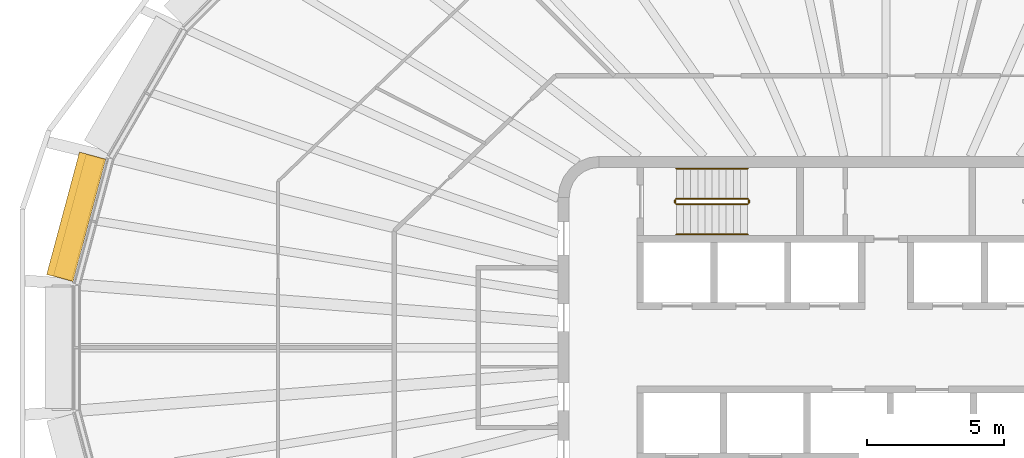
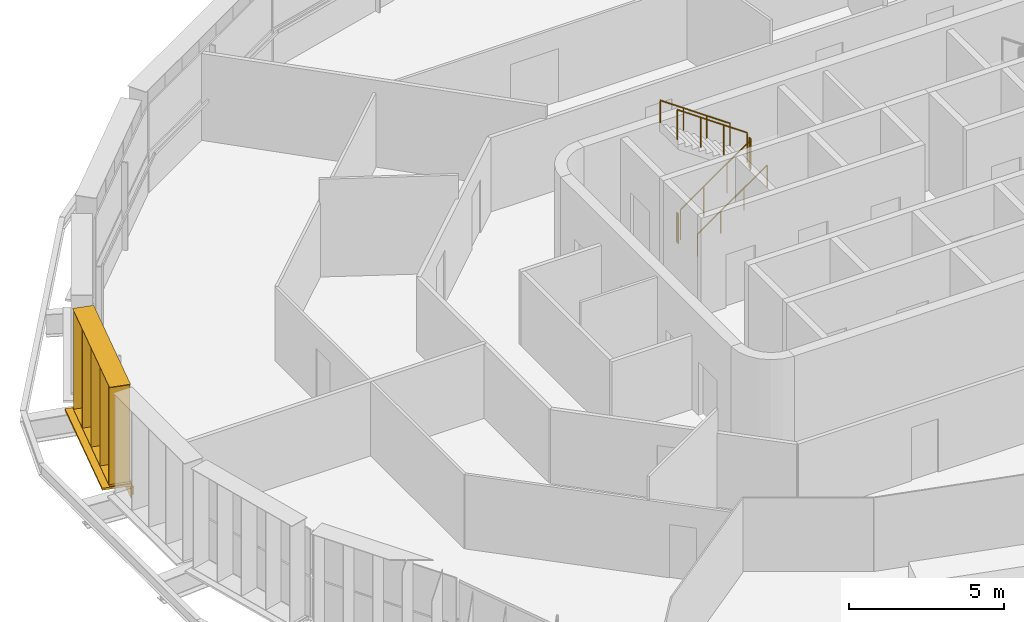
# One storey, part 17 of 20: 6 railings, 2 shading devices.
"""IFC4 building model written with IfcOpenShell, lengths in metres."""

from ifc_helpers import new_model, si_unit, direction, frame, origin, origin_2d, place, context, subcontext, project, spatial, rectangle, circle, extrude, material, type_object, element, save


model = new_model("IFC4")

# Units and contexts
model_context = context("Model", 3, precision=1e-05, world=origin(), true_north=direction((0.0, 1.0)))
body_context = subcontext(model_context, "Body", "Model", "MODEL_VIEW")
ifc_project = project(units=[si_unit("LENGTHUNIT", "METRE"), si_unit("AREAUNIT", "SQUARE_METRE"), si_unit("VOLUMEUNIT", "CUBIC_METRE"), si_unit("PLANEANGLEUNIT", "RADIAN"), si_unit("MASSUNIT", "GRAM", prefix="KILO")], contexts=[model_context])

# Site, building, storey
site_placement = place(None, origin())
site = spatial("IfcSite", under=ifc_project, at=site_placement, CompositionType="ELEMENT")
building_placement = place(site_placement, origin())
building = spatial("IfcBuilding", under=site, at=building_placement, Name="Sahrelin Media Tower", CompositionType="ELEMENT")
storey_placement = place(building_placement, frame((0.0, 0.0, 271.0)))
storey = spatial("IfcBuildingStorey", under=building, at=storey_placement, Name="L59", CompositionType="ELEMENT", Elevation=271.0)

# Shading device
ifc_material_1 = material(Name="Champagne anodised aluminium 6063-T6", Category="aluminium")
shading_device_type_1 = type_object("IfcShadingDeviceType", Name="Fin cassette", PredefinedType="USERDEFINED", material=ifc_material_1)
placement = place(storey_placement, frame((-29.132080078125, 4.65478515625, 0.0), z_axis=(0.0, 0.0, 1.0), x_axis=(0.258807731996, 0.965928857556, 0.0)))
element("IfcShadingDevice", 1, at=placement, inside=storey, type_object=shading_device_type_1, Name="L59:FIN:L59-11", ObjectType="FIN", PredefinedType="USERDEFINED", context=body_context, shape_type="SweptSolid", body=[
    extrude(rectangle(XDim=4.60009765625, YDim=0.699951171875, at=origin_2d()), frame((0.0, 0.419921875, 0.0)), (0.0, 0.0, 1.0), 0.02001953125),
    extrude(rectangle(XDim=4.60009765625, YDim=0.699951171875, at=origin_2d()), frame((0.0, 0.419921875, 3.89990234375)), (0.0, 0.0, 1.0), 0.02001953125),
    extrude(rectangle(XDim=0.02001953125, YDim=0.699951171875, at=origin_2d()), frame((-2.199951171875, 0.419921875, 0.010009765625), z_axis=(0.0, 0.0, 1.0), x_axis=(1.0, 0.0, 0.0)), (0.0, 0.0, 1.0), 3.89990234375),
    extrude(rectangle(XDim=0.02001953125, YDim=0.699951171875, at=origin_2d()), frame((-1.10009765625, 0.419921875, 0.010009765625), z_axis=(0.0, 0.0, 1.0), x_axis=(1.0, 0.0, 0.0)), (0.0, 0.0, 1.0), 3.89990234375),
    extrude(rectangle(XDim=0.02001953125, YDim=0.699951171875, at=origin_2d()), frame((0.0, 0.419921875, 0.010009765625), z_axis=(0.0, 0.0, 1.0), x_axis=(1.0, 0.0, 0.0)), (0.0, 0.0, 1.0), 3.89990234375),
    extrude(rectangle(XDim=0.02001953125, YDim=0.699951171875, at=origin_2d()), frame((1.10009765625, 0.419921875, 0.010009765625), z_axis=(0.0, 0.0, 1.0), x_axis=(1.0, 0.0, 0.0)), (0.0, 0.0, 1.0), 3.89990234375),
    extrude(rectangle(XDim=0.02001953125, YDim=0.699951171875, at=origin_2d()), frame((2.199951171875, 0.419921875, 0.010009765625), z_axis=(0.0, 0.0, 1.0), x_axis=(1.0, 0.0, 0.0)), (0.0, 0.0, 1.0), 3.89990234375),
])

# Railings
ifc_material_2 = material(Name="Steel S355", Category="steel")
railing_type_1 = type_object("IfcRailingType", Name="Stair guard 1200", PredefinedType="GUARDRAIL", material=ifc_material_2)
railing_1_placement = place(storey_placement, frame((-7.675048828125, 5.25, 0.181884765625)))
element("IfcRailing", 2, at=railing_1_placement, inside=storey, type_object=railing_type_1, Name="L59 ST1 stair guard 1", PredefinedType="GUARDRAIL", context=body_context, shape_type="SweptSolid", body=[
    extrude(circle(Radius=0.02392578125, at=origin_2d()), frame((0.0, 0.0, 1.17578125), z_axis=(0.819521025635, 0.0, 0.573049115296), x_axis=(0.0, 1.0, 0.0)), (0.0, 0.0, 1.0), 3.172607421875),
    extrude(circle(Radius=0.02099609375, at=origin_2d()), origin(), (0.0, 0.0, 1.0), 1.15185546875),
    extrude(circle(Radius=0.02099609375, at=origin_2d()), frame((0.86669921875, 0.0, 0.60595703125)), (0.0, 0.0, 1.0), 1.15185546875),
    extrude(circle(Radius=0.02099609375, at=origin_2d()), frame((1.7333984375, 0.0, 1.212158203125)), (0.0, 0.0, 1.0), 1.15185546875),
    extrude(circle(Radius=0.02099609375, at=origin_2d()), frame((2.60009765625, 0.0, 1.818115234375)), (0.0, 0.0, 1.0), 1.15185546875),
])
railing_2_placement = place(storey_placement, frame((-5.02490234375, 5.300048828125, 2.0)))
element("IfcRailing", 3, at=railing_2_placement, inside=storey, type_object=railing_type_1, Name="L59 ST1 stair guard 2", PredefinedType="GUARDRAIL", context=body_context, shape_type="SweptSolid", body=[
    extrude(circle(Radius=0.02392578125, at=origin_2d()), frame((0.0, 0.0, 1.17578125), z_axis=(0.0, 1.0, 0.0), x_axis=(-1.0, 0.0, 0.0)), (0.0, 0.0, 1.0), 0.099853515625),
    extrude(circle(Radius=0.02099609375, at=origin_2d()), origin(), (0.0, 0.0, 1.0), 1.15185546875),
    extrude(circle(Radius=0.02099609375, at=origin_2d()), frame((0.0, 0.099853515625, 0.0)), (0.0, 0.0, 1.0), 1.15185546875),
])
railing_3_placement = place(storey_placement, frame((-5.074951171875, 5.449951171875, 2.181884765625)))
element("IfcRailing", 4, at=railing_3_placement, inside=storey, type_object=railing_type_1, Name="L59 ST1 stair guard 3", PredefinedType="GUARDRAIL", context=body_context, shape_type="SweptSolid", body=[
    extrude(circle(Radius=0.02392578125, at=origin_2d()), frame((0.0, 0.0, 1.17578125), z_axis=(-0.819521025635, 0.0, 0.573049115296), x_axis=(0.0, -1.0, 0.0)), (0.0, 0.0, 1.0), 3.172607421875),
    extrude(circle(Radius=0.02099609375, at=origin_2d()), origin(), (0.0, 0.0, 1.0), 1.15185546875),
    extrude(circle(Radius=0.02099609375, at=origin_2d()), frame((-0.86669921875, 0.0, 0.60595703125)), (0.0, 0.0, 1.0), 1.15185546875),
    extrude(circle(Radius=0.02099609375, at=origin_2d()), frame((-1.7333984375, 0.0, 1.212158203125)), (0.0, 0.0, 1.0), 1.15185546875),
    extrude(circle(Radius=0.02099609375, at=origin_2d()), frame((-2.60009765625, 0.0, 1.818115234375)), (0.0, 0.0, 1.0), 1.15185546875),
])
railing_4_placement = place(storey_placement, frame((-7.72509765625, 5.300048828125, 0.0)))
element("IfcRailing", 5, at=railing_4_placement, inside=storey, type_object=railing_type_1, Name="L59 ST1 stair guard 4", PredefinedType="GUARDRAIL", context=body_context, shape_type="SweptSolid", body=[
    extrude(circle(Radius=0.02392578125, at=origin_2d()), frame((0.0, 0.0, 1.17578125), z_axis=(0.0, 1.0, 0.0), x_axis=(-1.0, 0.0, 0.0)), (0.0, 0.0, 1.0), 0.099853515625),
    extrude(circle(Radius=0.02099609375, at=origin_2d()), origin(), (0.0, 0.0, 1.0), 1.15185546875),
    extrude(circle(Radius=0.02099609375, at=origin_2d()), frame((0.0, 0.099853515625, 0.0)), (0.0, 0.0, 1.0), 1.15185546875),
])
railing_type_2 = type_object("IfcRailingType", Name="Stair handrail 900", PredefinedType="HANDRAIL", material=ifc_material_2)
railing_5_placement = place(storey_placement, frame((-7.675048828125, 4.14990234375, 0.181884765625)))
element("IfcRailing", 6, at=railing_5_placement, inside=storey, type_object=railing_type_2, Name="L59 ST1 stair handrail 1", PredefinedType="HANDRAIL", context=body_context, shape_type="SweptSolid", body=[
    extrude(circle(Radius=0.02392578125, at=origin_2d()), frame((0.0, 0.0, 0.8759765625), z_axis=(0.819521025635, 0.0, 0.573049115296), x_axis=(0.0, 1.0, 0.0)), (0.0, 0.0, 1.0), 3.172607421875),
    extrude(circle(Radius=0.02099609375, at=origin_2d()), origin(), (0.0, 0.0, 1.0), 0.851806640625),
    extrude(circle(Radius=0.02099609375, at=origin_2d()), frame((0.86669921875, 0.0, 0.60595703125)), (0.0, 0.0, 1.0), 0.851806640625),
    extrude(circle(Radius=0.02099609375, at=origin_2d()), frame((1.7333984375, 0.0, 1.212158203125)), (0.0, 0.0, 1.0), 0.851806640625),
    extrude(circle(Radius=0.02099609375, at=origin_2d()), frame((2.60009765625, 0.0, 1.818115234375)), (0.0, 0.0, 1.0), 0.851806640625),
])
railing_6_placement = place(storey_placement, frame((-5.074951171875, 6.550048828125, 2.181884765625)))
element("IfcRailing", 7, at=railing_6_placement, inside=storey, type_object=railing_type_2, Name="L59 ST1 stair handrail 2", PredefinedType="HANDRAIL", context=body_context, shape_type="SweptSolid", body=[
    extrude(circle(Radius=0.02392578125, at=origin_2d()), frame((0.0, 0.0, 0.8759765625), z_axis=(-0.819521025635, 0.0, 0.573049115296), x_axis=(0.0, -1.0, 0.0)), (0.0, 0.0, 1.0), 3.172607421875),
    extrude(circle(Radius=0.02099609375, at=origin_2d()), origin(), (0.0, 0.0, 1.0), 0.851806640625),
    extrude(circle(Radius=0.02099609375, at=origin_2d()), frame((-0.86669921875, 0.0, 0.60595703125)), (0.0, 0.0, 1.0), 0.851806640625),
    extrude(circle(Radius=0.02099609375, at=origin_2d()), frame((-1.7333984375, 0.0, 1.212158203125)), (0.0, 0.0, 1.0), 0.851806640625),
    extrude(circle(Radius=0.02099609375, at=origin_2d()), frame((-2.60009765625, 0.0, 1.818115234375)), (0.0, 0.0, 1.0), 0.851806640625),
])

# Shading device
shading_device_type_2 = type_object("IfcShadingDeviceType", Name="Sunshade band", PredefinedType="USERDEFINED", material=ifc_material_1)
element("IfcShadingDevice", 8, at=placement, inside=storey, type_object=shading_device_type_2, Name="L59:SUN:L59-11", ObjectType="SUNSHADE", PredefinedType="USERDEFINED", context=body_context, shape_type="SweptSolid", body=[
    extrude(rectangle(XDim=4.636962890625, YDim=0.050048828125, at=origin_2d()), frame((0.0, 0.044921875, -0.55126953125)), (0.0, 0.0, 1.0), 0.471435546875),
    extrude(rectangle(XDim=4.636962890625, YDim=1.0, at=origin_2d()), frame((0.0, 0.52001953125, -0.080078125)), (0.0, 0.0, 1.0), 0.080078125),
    extrude(rectangle(XDim=0.10009765625, YDim=0.074951171875, at=origin_2d()), frame((-2.218505859375, -0.017578125, -0.47021484375)), (0.0, 0.0, 1.0), 0.300048828125),
    extrude(rectangle(XDim=0.10009765625, YDim=0.074951171875, at=origin_2d()), frame((-0.739501953125, -0.017578125, -0.47021484375)), (0.0, 0.0, 1.0), 0.300048828125),
    extrude(rectangle(XDim=0.10009765625, YDim=0.074951171875, at=origin_2d()), frame((0.739501953125, -0.017578125, -0.47021484375)), (0.0, 0.0, 1.0), 0.300048828125),
    extrude(rectangle(XDim=0.10009765625, YDim=0.074951171875, at=origin_2d()), frame((2.218505859375, -0.017578125, -0.47021484375)), (0.0, 0.0, 1.0), 0.300048828125),
])

save(model, "model.ifc")
